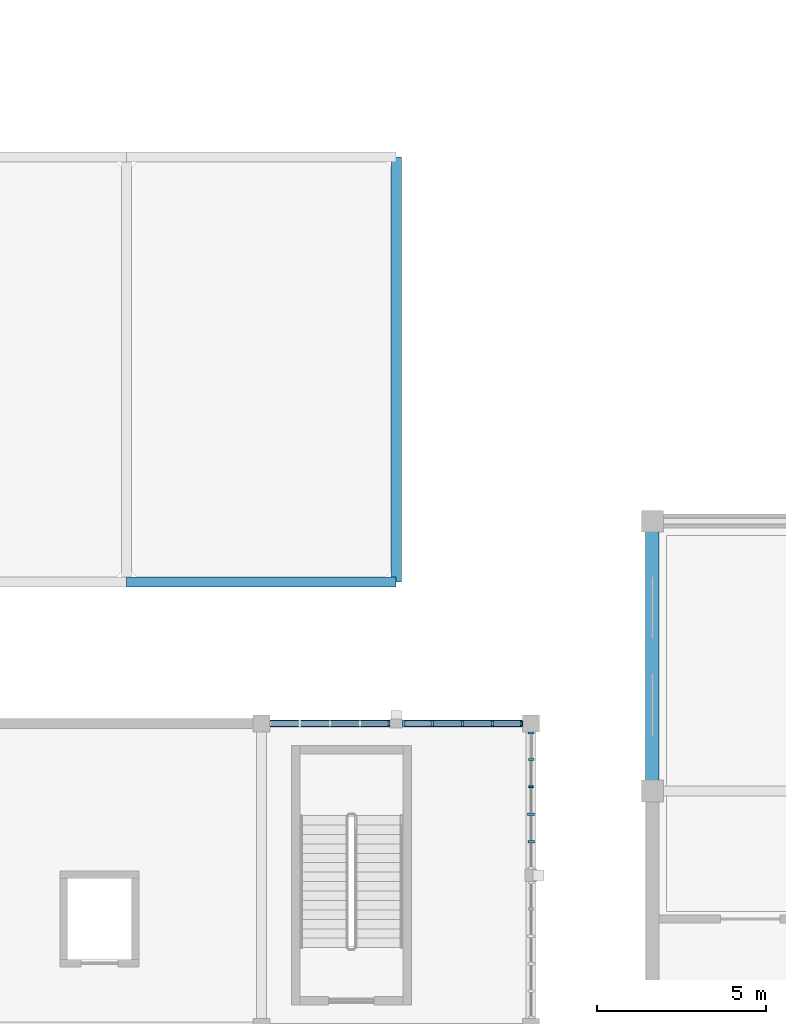
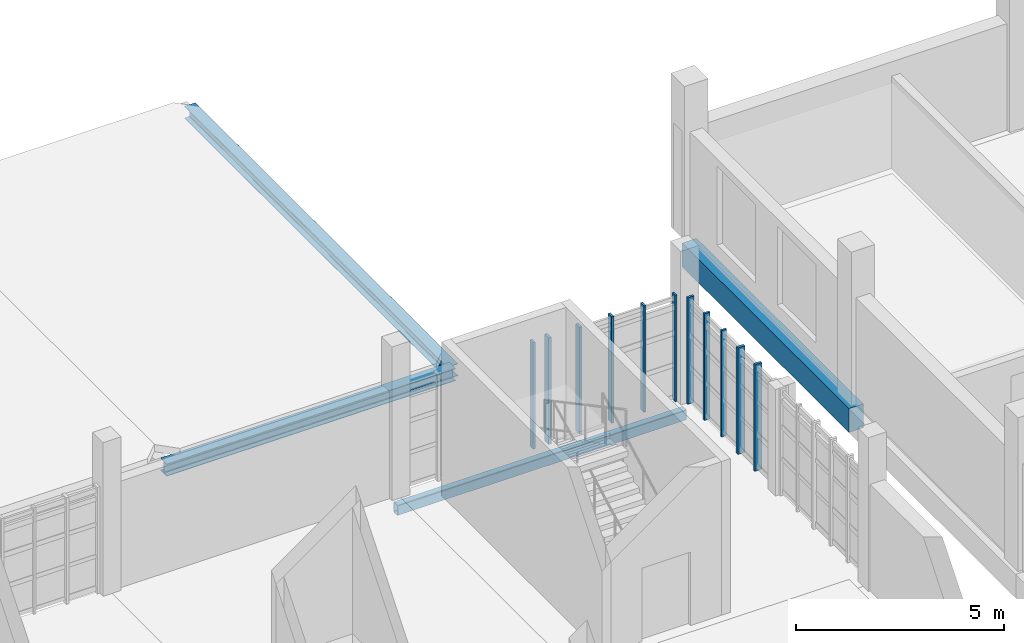
# One storey, part 22 of 125: 11 members, 4 beams, 3 elements without a shape of their own.
"""IFC4 building model written with IfcOpenShell, lengths in metres."""

import ifcopenshell
import ifcopenshell.guid

model = None  # the IFC model being written
_history = None  # IfcOwnerHistory: only IFC2X3 demands one
_inside = {}  # id of a spatial element -> (the spatial element, [elements in it])
_under = {}  # id of a project, library or spatial element -> (it, [spatial elements below it])
_declared = {}  # id of a project -> (the project, [libraries it declares])
_typed = {}  # id of a type object -> (the type object, [elements of that type])
_made_of = {}  # id of a material, layer set ... -> (it, [elements and type objects made of it])


def new_model(schema):
    """Start an empty IFC model of exactly this schema.

    Asked for "IFC4X3", IfcOpenShell would pick the latest addendum, in which some entities
    have other attributes; the version numbers below select the first issue.
    IFC2X3 requires an IfcOwnerHistory on every rooted entity: one is made here for all.
    """
    global model, _history
    if schema == "IFC4X3":
        model = ifcopenshell.file(schema_version=(4, 3, 0, 0))
    else:
        model = ifcopenshell.file(schema=schema)
    _inside.clear()
    _under.clear()
    _declared.clear()
    _typed.clear()
    _made_of.clear()
    _history = None
    if model.schema == "IFC2X3":
        org = make("IfcOrganization", Name="unknown")
        user = make(
            "IfcPersonAndOrganization",
            ThePerson=make("IfcPerson", FamilyName="unknown"),
            TheOrganization=org,
        )
        app = make(
            "IfcApplication",
            ApplicationDeveloper=org,
            Version="unknown",
            ApplicationFullName="unknown",
            ApplicationIdentifier="unknown",
        )
        _history = make(
            "IfcOwnerHistory",
            OwningUser=user,
            OwningApplication=app,
            ChangeAction="ADDED",
            CreationDate=0,
        )
    return model


def make(cls, **values):
    """One entity of the class cls with the attributes given. An attribute that is None is left unset."""
    return model.create_entity(
        cls, **{name: value for name, value in values.items() if value is not None}
    )


def rooted(cls, **values):
    """An entity with a GlobalId (a new one), such as an element, a storey or a relation."""
    return make(cls, GlobalId=ifcopenshell.guid.new(), OwnerHistory=_history, **values)


def si_unit(unit_type, name, prefix=None):
    """IfcSIUnit, for example si_unit("LENGTHUNIT", "METRE", prefix="MILLI")."""
    return make("IfcSIUnit", UnitType=unit_type, Prefix=prefix, Name=name)


def assignment(units):
    """IfcUnitAssignment: the units of a project."""
    return None if units is None else make("IfcUnitAssignment", Units=units)


def point(xyz):
    """IfcCartesianPoint."""
    return None if xyz is None else make("IfcCartesianPoint", Coordinates=xyz)


def direction(xyz):
    """IfcDirection."""
    return None if xyz is None else make("IfcDirection", DirectionRatios=xyz)


def frame(location, z_axis=None, x_axis=None):
    """IfcAxis2Placement3D, a coordinate frame: its origin and axes. An axis left out is left unset."""
    return make(
        "IfcAxis2Placement3D",
        Location=point(location),
        Axis=direction(z_axis),
        RefDirection=direction(x_axis),
    )


def frame_2d(location, x_axis=None):
    """IfcAxis2Placement2D, a coordinate frame in the plane: its origin and x axis."""
    return make(
        "IfcAxis2Placement2D", Location=point(location), RefDirection=direction(x_axis)
    )


def origin():
    """The frame at (0, 0, 0) with its axes left unset."""
    return frame((0.0, 0.0, 0.0))


def origin_2d():
    """The frame at (0, 0) in the plane with its x axis left unset."""
    return frame_2d((0.0, 0.0))


def place(relative_to, where):
    """IfcLocalPlacement: puts the frame where relative to a parent placement (None: the world)."""
    return make(
        "IfcLocalPlacement", PlacementRelTo=relative_to, RelativePlacement=where
    )


def context(
    kind, dimensions, precision=None, world=None, true_north=None, identifier=None
):
    """IfcGeometricRepresentationContext, for example the 3D "Model" context."""
    return make(
        "IfcGeometricRepresentationContext",
        ContextIdentifier=identifier,
        ContextType=kind,
        CoordinateSpaceDimension=dimensions,
        Precision=precision,
        WorldCoordinateSystem=world,
        TrueNorth=true_north,
    )


def subcontext(parent, identifier, kind, view, scale=None):
    """IfcGeometricRepresentationSubContext, for example "Body" below "Model"."""
    return make(
        "IfcGeometricRepresentationSubContext",
        ContextIdentifier=identifier,
        ContextType=kind,
        ParentContext=parent,
        TargetScale=scale,
        TargetView=view,
    )


def project(units=None, contexts=None):
    """IfcProject with its units and contexts."""
    return rooted(
        "IfcProject",
        Name="project",
        RepresentationContexts=contexts,
        UnitsInContext=assignment(units),
    )


def spatial(cls, under=None, at=None, **own):
    """A site, building, storey or space (cls), placed at a placement, below another one or the project."""
    s = rooted(cls, ObjectPlacement=at, **own)
    if under is not None:
        _under.setdefault(under.id(), (under, []))[1].append(s)
    return s


def profile(cls, at=None, kind="AREA", **sizes):
    """A parametric profile (cls). Its sizes go by their IFC names, for example OverallWidth=200.0."""
    return make(cls, ProfileType=kind, Position=at, **sizes)


def rectangle(**sizes):
    """IfcRectangleProfileDef."""
    return profile("IfcRectangleProfileDef", **sizes)


def hollow_rectangle(**sizes):
    """IfcRectangleHollowProfileDef."""
    return profile("IfcRectangleHollowProfileDef", **sizes)


def i_section(**sizes):
    """IfcIShapeProfileDef."""
    return profile("IfcIShapeProfileDef", **sizes)


def extrude(swept, where, along, depth):
    """IfcExtrudedAreaSolid: the profile swept, set in the frame where, extruded along a direction by depth."""
    return make(
        "IfcExtrudedAreaSolid",
        SweptArea=swept,
        Position=where,
        ExtrudedDirection=direction(along),
        Depth=depth,
    )


def shape(context_of_items, identifier, shape_type, items):
    """IfcShapeRepresentation: the items that make up one representation, for example the "Body"."""
    return make(
        "IfcShapeRepresentation",
        ContextOfItems=context_of_items,
        RepresentationIdentifier=identifier,
        RepresentationType=shape_type,
        Items=items,
    )


def material(Name=None, Category=None):
    """IfcMaterial."""
    return make("IfcMaterial", Name=Name, Category=Category)


def material_profile(
    of_material, cross_section, Name=None, Category=None, Priority=None
):
    """IfcMaterialProfile: a cross section and its material."""
    return make(
        "IfcMaterialProfile",
        Name=Name,
        Material=of_material,
        Profile=cross_section,
        Priority=Priority,
        Category=Category,
    )


def profile_set(profiles, Name=None, composite=None):
    """IfcMaterialProfileSet."""
    return make(
        "IfcMaterialProfileSet",
        Name=Name,
        MaterialProfiles=profiles,
        CompositeProfile=composite,
    )


def made_of(thing, what):
    """Note that an element or type object is made of a material, layer set ...; save() writes the relation."""
    if what is not None:
        _made_of.setdefault(what.id(), (what, []))[1].append(thing)
    return thing


def type_object(cls, material=None, **own):
    """A type object (cls), such as IfcWallType, which elements share."""
    return made_of(rooted(cls, **own), material)


def element(
    cls,
    number,
    at=None,
    inside=None,
    cuts=None,
    type_object=None,
    material=None,
    context=None,
    identifier="Body",
    shape_type=None,
    held_by="IfcProductDefinitionShape",
    body=None,
    shapes=None,
    **own,
):
    """One element of the class cls, such as IfcWall. Its Tag is "e" and its number.

    at: its placement. inside: the storey or other place that contains it. cuts: it is an
    opening in that element (IfcRelVoidsElement). A single representation is given by context,
    identifier, shape_type and body (its items); several are given by shapes. held_by: the class
    of the entity that holds the representations. save() writes the other relations.
    """
    e = rooted(cls, Tag="e%d" % number, ObjectPlacement=at, **own)
    if body is not None:
        shapes = [shape(context, identifier, shape_type, body)]
    if shapes is not None:
        e.Representation = make(held_by, Representations=shapes)
    if inside is not None:
        _inside.setdefault(inside.id(), (inside, []))[1].append(e)
    if cuts is not None:
        rooted(
            "IfcRelVoidsElement", RelatingBuildingElement=cuts, RelatedOpeningElement=e
        )
    if type_object is not None:
        _typed.setdefault(type_object.id(), (type_object, []))[1].append(e)
    return made_of(e, material)


def aggregate(whole, parts):
    """IfcRelAggregates: a whole, such as a stair, and the parts it consists of."""
    return rooted("IfcRelAggregates", RelatingObject=whole, RelatedObjects=parts)


def save(model, path):
    """Write the relations noted so far, then the file.

    IfcRelAggregates (storeys below a building ...), IfcRelContainedInSpatialStructure (elements
    in a storey), IfcRelDefinesByType, IfcRelAssociatesMaterial and IfcRelDeclares: one each for
    every whole, place, type object, material and project.
    """
    for whole, parts in _under.values():
        aggregate(whole, parts)
    for where, things in _inside.values():
        rooted(
            "IfcRelContainedInSpatialStructure",
            RelatedElements=things,
            RelatingStructure=where,
        )
    for kind, things in _typed.values():
        rooted("IfcRelDefinesByType", RelatedObjects=things, RelatingType=kind)
    for what, things in _made_of.values():
        rooted("IfcRelAssociatesMaterial", RelatedObjects=things, RelatingMaterial=what)
    for by, libraries in _declared.values():
        rooted("IfcRelDeclares", RelatingContext=by, RelatedDefinitions=libraries)
    model.write(path)


model = new_model("IFC4")

# Units and contexts
model_context = context("Model", 3, precision=1e-05, world=origin(), true_north=direction((0.0, 1.0)))
body_context = subcontext(model_context, "Body", "Model", "MODEL_VIEW")
ifc_project = project(units=[si_unit("LENGTHUNIT", "METRE"), si_unit("AREAUNIT", "SQUARE_METRE"), si_unit("VOLUMEUNIT", "CUBIC_METRE"), si_unit("PLANEANGLEUNIT", "RADIAN"), si_unit("MASSUNIT", "GRAM", prefix="KILO")], contexts=[model_context])

# Site, building, storey
site_placement = place(None, origin())
site = spatial("IfcSite", under=ifc_project, at=site_placement, CompositionType="ELEMENT")
building_placement = place(site_placement, origin())
building = spatial("IfcBuilding", under=site, at=building_placement, Name="Serraforn Aerial Cableway Station", CompositionType="ELEMENT")
storey_placement = place(building_placement, frame((0.0, 0.0, 4.5)))
storey = spatial("IfcBuildingStorey", under=building, at=storey_placement, Name="L01", CompositionType="ELEMENT", Elevation=4.5)

# Beams
ifc_material_1 = material(Name="Concrete C35/45", Category="concrete")
ifc_material_profile_1 = material_profile(ifc_material_1, rectangle(XDim=0.39990234375, YDim=0.699951171875, at=origin_2d()), Name="RC 400x700")
ifc_profile_set_1 = profile_set([ifc_material_profile_1], Name="Concrete C35/45")
beam_type_1 = type_object("IfcBeamType", Name="BM-RC-400x700E", PredefinedType="SPANDREL", material=ifc_profile_set_1)
beam_1_placement = place(storey_placement, frame((27.60009765625, 34.0, -0.669921875), z_axis=(0.0, 1.0, 0.0), x_axis=(-1.0, 0.0, 0.0)))
element("IfcBeam", 1, at=beam_1_placement, inside=storey, type_object=beam_type_1, Name="Grid Girder Y CV L01 X1-3", PredefinedType="SPANDREL", context=body_context, shape_type="SweptSolid", body=[
    extrude(rectangle(XDim=0.39990234375, YDim=0.699951171875, at=origin_2d()), origin(), (0.0, 0.0, 1.0), 8.0),
])
ifc_material_2 = material(Name="Steel S355JR", Category="steel")
ifc_material_profile_2 = material_profile(ifc_material_2, i_section(OverallWidth=0.300048828125, OverallDepth=0.360107421875, WebThickness=0.010009765625, FlangeThickness=0.017578125, FilletRadius=0.027099609375, at=origin_2d()), Name="HEA 360")
ifc_profile_set_2 = profile_set([ifc_material_profile_2], Name="Steel S355JR")
beam_type_2 = type_object("IfcBeamType", Name="BM-ST-HEA360", PredefinedType="BEAM", material=ifc_profile_set_2)
beam_2_placement = place(storey_placement, frame((12.0, 40.199951171875, -0.39990234375), z_axis=(1.0, 0.0, 0.0), x_axis=(0.0, 1.0, 0.0)))
element("IfcBeam", 2, at=beam_2_placement, inside=storey, type_object=beam_type_2, Name="Colonnade Spandrel Beam WX-2-1", PredefinedType="BEAM", context=body_context, shape_type="SweptSolid", body=[
    extrude(i_section(OverallWidth=0.300048828125, OverallDepth=0.360107421875, WebThickness=0.010009765625, FlangeThickness=0.017578125, FilletRadius=0.027099609375, at=origin_2d()), origin(), (0.0, 0.0, 1.0), 8.0),
])
beam_3_placement = place(storey_placement, frame((20.0, 40.199951171875, -0.39990234375), z_axis=(0.0, 1.0, 0.0), x_axis=(-1.0, 0.0, 0.0)))
element("IfcBeam", 3, at=beam_3_placement, inside=storey, type_object=beam_type_2, Name="Colonnade Cross Beam WY-3-1", PredefinedType="BEAM", context=body_context, shape_type="SweptSolid", body=[
    extrude(i_section(OverallWidth=0.300048828125, OverallDepth=0.360107421875, WebThickness=0.010009765625, FlangeThickness=0.017578125, FilletRadius=0.027099609375, at=origin_2d()), origin(), (0.0, 0.0, 1.0), 12.60009765625),
])
ifc_material_3 = material(Name="Steel S355J2", Category="steel")
ifc_material_profile_3 = material_profile(ifc_material_3, hollow_rectangle(XDim=0.199951171875, YDim=0.300048828125, WallThickness=0.012451171875, InnerFilletRadius=0.012451171875, OuterFilletRadius=0.02490234375, at=origin_2d()), Name="RHS 300x200x12.5")
ifc_profile_set_3 = profile_set([ifc_material_profile_3], Name="Steel S355J2")
beam_type_3 = type_object("IfcBeamType", Name="BM-ST-RHS300", PredefinedType="SPANDREL", material=ifc_profile_set_3)
beam_4_placement = place(storey_placement, frame((16.0, 36.0, -0.469970703125), z_axis=(1.0, 0.0, 0.0), x_axis=(0.0, 1.0, 0.0)))
element("IfcBeam", 4, at=beam_4_placement, inside=storey, type_object=beam_type_3, Name="Grid Girder X W L01 Y5-3", PredefinedType="SPANDREL", context=body_context, shape_type="SweptSolid", body=[
    extrude(hollow_rectangle(XDim=0.199951171875, YDim=0.300048828125, WallThickness=0.012451171875, InnerFilletRadius=0.012451171875, OuterFilletRadius=0.02490234375, at=origin_2d()), origin(), (0.0, 0.0, 1.0), 8.0),
])

# Curtain wall, member
ifc_material_4 = material(Name="Anodised bronze unitised curtain wall")
curtain_wall_type_1 = type_object("IfcCurtainWallType", Name="CW-SYS-15", PredefinedType="USERDEFINED", material=ifc_material_4)
curtain_wall_1_placement = place(storey_placement, origin())
curtain_wall_1 = element("IfcCurtainWall", 5, at=curtain_wall_1_placement, inside=storey, type_object=curtain_wall_type_1, Name="Unitised Curtain Wall CW-W-L01-N3A", ObjectType="UNITISED CURTAIN WALL", PredefinedType="USERDEFINED")
ifc_material_5 = material(Name="Anodised bronze extruded aluminium", Category="aluminium")
ifc_material_profile_4 = material_profile(ifc_material_5, rectangle(XDim=0.054931640625, YDim=0.139892578125, at=origin_2d()), Name="CW MULLION 55x140")
ifc_profile_set_4 = profile_set([ifc_material_profile_4], Name="Anodised bronze extruded aluminium")
member_type_1 = type_object("IfcMemberType", Name="CW-MUL-1", PredefinedType="MULLION", material=ifc_profile_set_4)
member_1_placement = place(storey_placement, frame((23.724609375, 36.0, 0.0), z_axis=(0.0, 0.0, 1.0), x_axis=(-1.0, 0.0, 0.0)))
member_1 = element("IfcMember", 6, at=member_1_placement, type_object=member_type_1, Name="Curtain Wall Mullion CW-W-L01-N3A-M1", PredefinedType="MULLION", context=body_context, shape_type="SweptSolid", body=[
    extrude(rectangle(XDim=0.054931640625, YDim=0.139892578125, at=origin_2d()), origin(), (0.0, 0.0, 1.0), 3.1201171875),
])

curtain_wall_type_2 = type_object("IfcCurtainWallType", Name="CW-SYS-22", PredefinedType="USERDEFINED", material=ifc_material_4)
curtain_wall_2_placement = place(storey_placement, origin())
curtain_wall_2 = element("IfcCurtainWall", 7, at=curtain_wall_2_placement, inside=storey, type_object=curtain_wall_type_2, Name="Unitised Curtain Wall CW-W-L01-E4B", ObjectType="UNITISED CURTAIN WALL", PredefinedType="USERDEFINED")
member_2_placement = place(storey_placement, frame((24.0, 34.123291015625, 0.0), z_axis=(0.0, 0.0, 1.0), x_axis=(0.0, 1.0, 0.0)))
member_2 = element("IfcMember", 8, at=member_2_placement, type_object=member_type_1, Name="Curtain Wall Mullion CW-W-L01-E4B-M4", PredefinedType="MULLION", context=body_context, shape_type="SweptSolid", body=[
    extrude(rectangle(XDim=0.054931640625, YDim=0.139892578125, at=origin_2d()), origin(), (0.0, 0.0, 1.0), 3.1201171875),
])

# Member
ifc_material_profile_5 = material_profile(ifc_material_5, rectangle(XDim=0.06005859375, YDim=0.159912109375, at=origin_2d()), Name="CW MULLION 60x160")
ifc_profile_set_5 = profile_set([ifc_material_profile_5], Name="Anodised bronze extruded aluminium")
member_type_2 = type_object("IfcMemberType", Name="CW-MUL-2", PredefinedType="MULLION", material=ifc_profile_set_5)
member_3_placement = place(storey_placement, frame((22.85888671875, 36.0, 0.0), z_axis=(0.0, 0.0, 1.0), x_axis=(-1.0, 0.0, 0.0)))
member_3 = element("IfcMember", 9, at=member_3_placement, type_object=member_type_2, Name="Curtain Wall Mullion CW-W-L01-N3A-M2", PredefinedType="MULLION", context=body_context, shape_type="SweptSolid", body=[
    extrude(rectangle(XDim=0.06005859375, YDim=0.159912109375, at=origin_2d()), origin(), (0.0, 0.0, 1.0), 3.1201171875),
])

# Curtain wall, member
curtain_wall_type_3 = type_object("IfcCurtainWallType", Name="CW-SYS-16", PredefinedType="USERDEFINED", material=ifc_material_4)
curtain_wall_3_placement = place(storey_placement, origin())
curtain_wall_3 = element("IfcCurtainWall", 10, at=curtain_wall_3_placement, inside=storey, type_object=curtain_wall_type_3, Name="Unitised Curtain Wall CW-W-L01-N3B", ObjectType="UNITISED CURTAIN WALL", PredefinedType="USERDEFINED")
member_4_placement = place(storey_placement, frame((19.7900390625, 36.0, 0.0), z_axis=(0.0, 0.0, 1.0), x_axis=(-1.0, 0.0, 0.0)))
member_4 = element("IfcMember", 11, at=member_4_placement, type_object=member_type_2, Name="Curtain Wall Mullion CW-W-L01-N3B-M1", PredefinedType="MULLION", context=body_context, shape_type="SweptSolid", body=[
    extrude(rectangle(XDim=0.06005859375, YDim=0.159912109375, at=origin_2d()), origin(), (0.0, 0.0, 1.0), 3.1201171875),
])
aggregate(curtain_wall_3, [member_4])

# Member
member_5_placement = place(storey_placement, frame((24.0, 34.9375, 0.0), z_axis=(0.0, 0.0, 1.0), x_axis=(0.0, 1.0, 0.0)))
member_5 = element("IfcMember", 12, at=member_5_placement, type_object=member_type_2, Name="Curtain Wall Mullion CW-W-L01-E4B-M5", PredefinedType="MULLION", context=body_context, shape_type="SweptSolid", body=[
    extrude(rectangle(XDim=0.06005859375, YDim=0.159912109375, at=origin_2d()), origin(), (0.0, 0.0, 1.0), 3.1201171875),
])

ifc_material_profile_6 = material_profile(ifc_material_5, rectangle(XDim=0.06494140625, YDim=0.175048828125, at=origin_2d()), Name="CW MULLION 65x175")
ifc_profile_set_6 = profile_set([ifc_material_profile_6], Name="Anodised bronze extruded aluminium")
member_type_3 = type_object("IfcMemberType", Name="CW-MUL-3", PredefinedType="MULLION", material=ifc_profile_set_6)
member_6_placement = place(storey_placement, frame((21.966064453125, 36.0, 0.0), z_axis=(0.0, 0.0, 1.0), x_axis=(-1.0, 0.0, 0.0)))
member_6 = element("IfcMember", 13, at=member_6_placement, type_object=member_type_3, Name="Curtain Wall Mullion CW-W-L01-N3A-M3", PredefinedType="MULLION", context=body_context, shape_type="SweptSolid", body=[
    extrude(rectangle(XDim=0.06494140625, YDim=0.175048828125, at=origin_2d()), origin(), (0.0, 0.0, 1.0), 3.1201171875),
])

member_7_placement = place(storey_placement, frame((24.0, 35.719482421875, 0.0), z_axis=(0.0, 0.0, 1.0), x_axis=(0.0, 1.0, 0.0)))
member_7 = element("IfcMember", 14, at=member_7_placement, type_object=member_type_3, Name="Curtain Wall Mullion CW-W-L01-E4B-M6", PredefinedType="MULLION", context=body_context, shape_type="SweptSolid", body=[
    extrude(rectangle(XDim=0.06494140625, YDim=0.175048828125, at=origin_2d()), origin(), (0.0, 0.0, 1.0), 3.1201171875),
])

ifc_material_profile_7 = material_profile(ifc_material_5, rectangle(XDim=0.070068359375, YDim=0.18994140625, at=origin_2d()), Name="CW MULLION 70x190")
ifc_profile_set_7 = profile_set([ifc_material_profile_7], Name="Anodised bronze extruded aluminium")
member_type_4 = type_object("IfcMemberType", Name="CW-MUL-4", PredefinedType="MULLION", material=ifc_profile_set_7)
member_8_placement = place(storey_placement, frame((21.072998046875, 36.0, 0.0), z_axis=(0.0, 0.0, 1.0), x_axis=(-1.0, 0.0, 0.0)))
member_8 = element("IfcMember", 15, at=member_8_placement, type_object=member_type_4, Name="Curtain Wall Mullion CW-W-L01-N3A-M4", PredefinedType="MULLION", context=body_context, shape_type="SweptSolid", body=[
    extrude(rectangle(XDim=0.070068359375, YDim=0.18994140625, at=origin_2d()), origin(), (0.0, 0.0, 1.0), 3.1201171875),
])

member_9_placement = place(storey_placement, frame((24.0, 32.494384765625, 0.0), z_axis=(0.0, 0.0, 1.0), x_axis=(0.0, 1.0, 0.0)))
member_9 = element("IfcMember", 16, at=member_9_placement, type_object=member_type_4, Name="Curtain Wall Mullion CW-W-L01-E4B-M2", PredefinedType="MULLION", context=body_context, shape_type="SweptSolid", body=[
    extrude(rectangle(XDim=0.070068359375, YDim=0.18994140625, at=origin_2d()), origin(), (0.0, 0.0, 1.0), 3.1201171875),
])

ifc_material_profile_8 = material_profile(ifc_material_5, rectangle(XDim=0.074951171875, YDim=0.199951171875, at=origin_2d()), Name="CW MULLION 75x200")
ifc_profile_set_8 = profile_set([ifc_material_profile_8], Name="Anodised bronze extruded aluminium")
member_type_5 = type_object("IfcMemberType", Name="CW-MUL-5", PredefinedType="MULLION", material=ifc_profile_set_8)
member_10_placement = place(storey_placement, frame((20.217529296875, 36.0, 0.0), z_axis=(0.0, 0.0, 1.0), x_axis=(-1.0, 0.0, 0.0)))
member_10 = element("IfcMember", 17, at=member_10_placement, type_object=member_type_5, Name="Curtain Wall Mullion CW-W-L01-N3A-M5", PredefinedType="MULLION", context=body_context, shape_type="SweptSolid", body=[
    extrude(rectangle(XDim=0.074951171875, YDim=0.199951171875, at=origin_2d()), origin(), (0.0, 0.0, 1.0), 3.1201171875),
])

aggregate(curtain_wall_1, [member_1, member_3, member_6, member_8, member_10])

member_11_placement = place(storey_placement, frame((24.0, 33.308837890625, 0.0), z_axis=(0.0, 0.0, 1.0), x_axis=(0.0, 1.0, 0.0)))
member_11 = element("IfcMember", 18, at=member_11_placement, type_object=member_type_5, Name="Curtain Wall Mullion CW-W-L01-E4B-M3", PredefinedType="MULLION", context=body_context, shape_type="SweptSolid", body=[
    extrude(rectangle(XDim=0.074951171875, YDim=0.199951171875, at=origin_2d()), origin(), (0.0, 0.0, 1.0), 3.1201171875),
])

aggregate(curtain_wall_2, [member_9, member_11, member_2, member_5, member_7])

save(model, "model.ifc")
